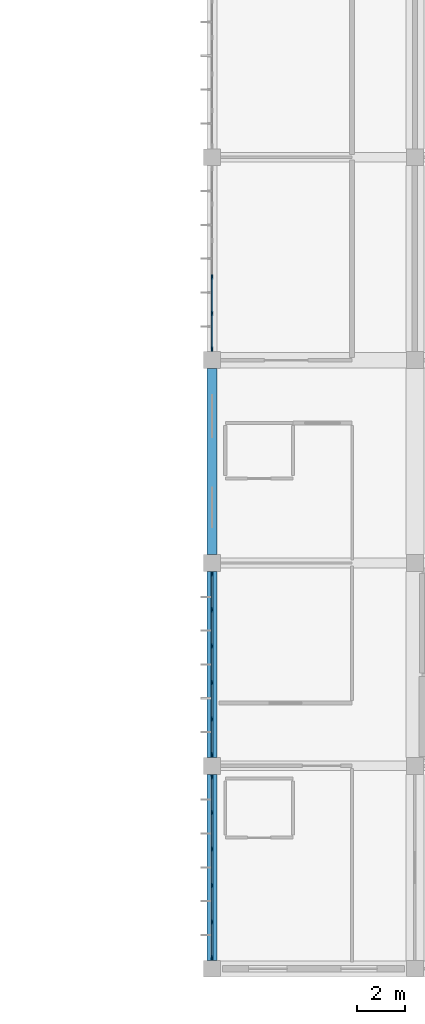
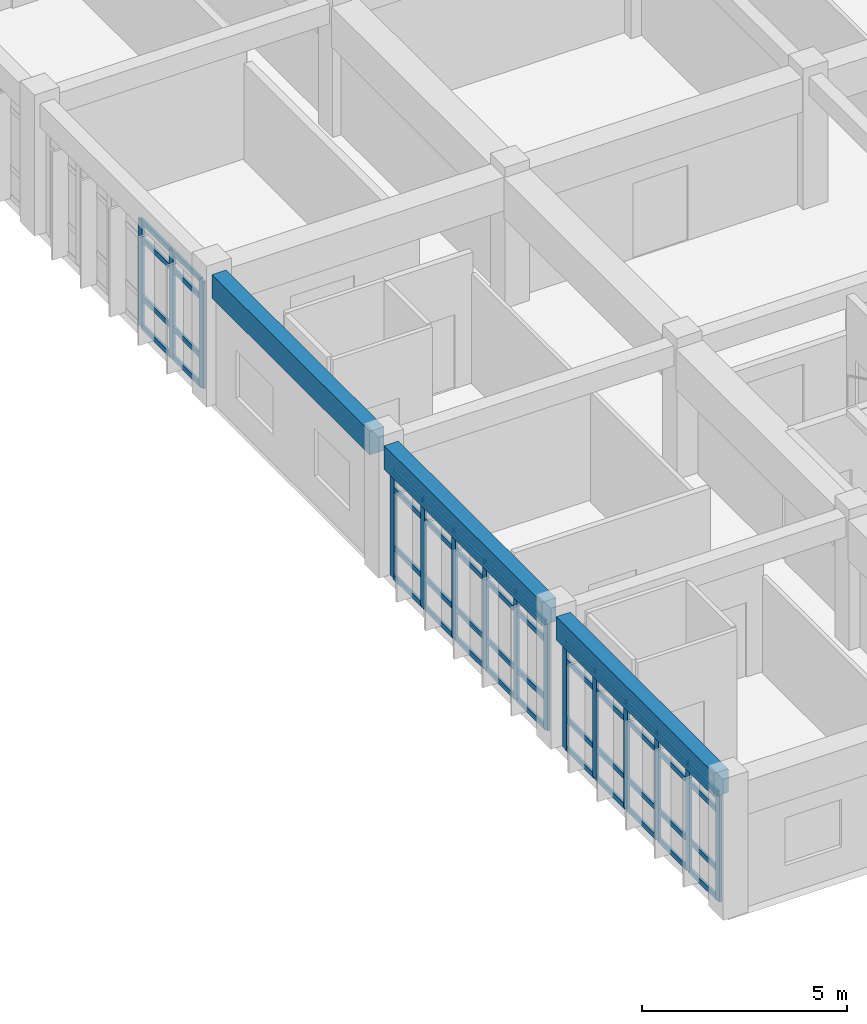
# One storey, part 7 of 119: 63 members, 3 beams, 3 elements without a shape of their own.
"""IFC4 building model written with IfcOpenShell, lengths in metres."""

import ifcopenshell
import ifcopenshell.guid

model = None  # the IFC model being written
_history = None  # IfcOwnerHistory: only IFC2X3 demands one
_inside = {}  # id of a spatial element -> (the spatial element, [elements in it])
_under = {}  # id of a project, library or spatial element -> (it, [spatial elements below it])
_declared = {}  # id of a project -> (the project, [libraries it declares])
_typed = {}  # id of a type object -> (the type object, [elements of that type])
_made_of = {}  # id of a material, layer set ... -> (it, [elements and type objects made of it])


def new_model(schema):
    """Start an empty IFC model of exactly this schema.

    Asked for "IFC4X3", IfcOpenShell would pick the latest addendum, in which some entities
    have other attributes; the version numbers below select the first issue.
    IFC2X3 requires an IfcOwnerHistory on every rooted entity: one is made here for all.
    """
    global model, _history
    if schema == "IFC4X3":
        model = ifcopenshell.file(schema_version=(4, 3, 0, 0))
    else:
        model = ifcopenshell.file(schema=schema)
    _inside.clear()
    _under.clear()
    _declared.clear()
    _typed.clear()
    _made_of.clear()
    _history = None
    if model.schema == "IFC2X3":
        org = make("IfcOrganization", Name="unknown")
        user = make(
            "IfcPersonAndOrganization",
            ThePerson=make("IfcPerson", FamilyName="unknown"),
            TheOrganization=org,
        )
        app = make(
            "IfcApplication",
            ApplicationDeveloper=org,
            Version="unknown",
            ApplicationFullName="unknown",
            ApplicationIdentifier="unknown",
        )
        _history = make(
            "IfcOwnerHistory",
            OwningUser=user,
            OwningApplication=app,
            ChangeAction="ADDED",
            CreationDate=0,
        )
    return model


def make(cls, **values):
    """One entity of the class cls with the attributes given. An attribute that is None is left unset."""
    return model.create_entity(
        cls, **{name: value for name, value in values.items() if value is not None}
    )


def rooted(cls, **values):
    """An entity with a GlobalId (a new one), such as an element, a storey or a relation."""
    return make(cls, GlobalId=ifcopenshell.guid.new(), OwnerHistory=_history, **values)


def si_unit(unit_type, name, prefix=None):
    """IfcSIUnit, for example si_unit("LENGTHUNIT", "METRE", prefix="MILLI")."""
    return make("IfcSIUnit", UnitType=unit_type, Prefix=prefix, Name=name)


def assignment(units):
    """IfcUnitAssignment: the units of a project."""
    return None if units is None else make("IfcUnitAssignment", Units=units)


def point(xyz):
    """IfcCartesianPoint."""
    return None if xyz is None else make("IfcCartesianPoint", Coordinates=xyz)


def direction(xyz):
    """IfcDirection."""
    return None if xyz is None else make("IfcDirection", DirectionRatios=xyz)


def frame(location, z_axis=None, x_axis=None):
    """IfcAxis2Placement3D, a coordinate frame: its origin and axes. An axis left out is left unset."""
    return make(
        "IfcAxis2Placement3D",
        Location=point(location),
        Axis=direction(z_axis),
        RefDirection=direction(x_axis),
    )


def frame_2d(location, x_axis=None):
    """IfcAxis2Placement2D, a coordinate frame in the plane: its origin and x axis."""
    return make(
        "IfcAxis2Placement2D", Location=point(location), RefDirection=direction(x_axis)
    )


def origin():
    """The frame at (0, 0, 0) with its axes left unset."""
    return frame((0.0, 0.0, 0.0))


def origin_2d():
    """The frame at (0, 0) in the plane with its x axis left unset."""
    return frame_2d((0.0, 0.0))


def place(relative_to, where):
    """IfcLocalPlacement: puts the frame where relative to a parent placement (None: the world)."""
    return make(
        "IfcLocalPlacement", PlacementRelTo=relative_to, RelativePlacement=where
    )


def context(
    kind, dimensions, precision=None, world=None, true_north=None, identifier=None
):
    """IfcGeometricRepresentationContext, for example the 3D "Model" context."""
    return make(
        "IfcGeometricRepresentationContext",
        ContextIdentifier=identifier,
        ContextType=kind,
        CoordinateSpaceDimension=dimensions,
        Precision=precision,
        WorldCoordinateSystem=world,
        TrueNorth=true_north,
    )


def subcontext(parent, identifier, kind, view, scale=None):
    """IfcGeometricRepresentationSubContext, for example "Body" below "Model"."""
    return make(
        "IfcGeometricRepresentationSubContext",
        ContextIdentifier=identifier,
        ContextType=kind,
        ParentContext=parent,
        TargetScale=scale,
        TargetView=view,
    )


def project(units=None, contexts=None):
    """IfcProject with its units and contexts."""
    return rooted(
        "IfcProject",
        Name="project",
        RepresentationContexts=contexts,
        UnitsInContext=assignment(units),
    )


def spatial(cls, under=None, at=None, **own):
    """A site, building, storey or space (cls), placed at a placement, below another one or the project."""
    s = rooted(cls, ObjectPlacement=at, **own)
    if under is not None:
        _under.setdefault(under.id(), (under, []))[1].append(s)
    return s


def profile(cls, at=None, kind="AREA", **sizes):
    """A parametric profile (cls). Its sizes go by their IFC names, for example OverallWidth=200.0."""
    return make(cls, ProfileType=kind, Position=at, **sizes)


def rectangle(**sizes):
    """IfcRectangleProfileDef."""
    return profile("IfcRectangleProfileDef", **sizes)


def extrude(swept, where, along, depth):
    """IfcExtrudedAreaSolid: the profile swept, set in the frame where, extruded along a direction by depth."""
    return make(
        "IfcExtrudedAreaSolid",
        SweptArea=swept,
        Position=where,
        ExtrudedDirection=direction(along),
        Depth=depth,
    )


def shape(context_of_items, identifier, shape_type, items):
    """IfcShapeRepresentation: the items that make up one representation, for example the "Body"."""
    return make(
        "IfcShapeRepresentation",
        ContextOfItems=context_of_items,
        RepresentationIdentifier=identifier,
        RepresentationType=shape_type,
        Items=items,
    )


def material(Name=None, Category=None):
    """IfcMaterial."""
    return make("IfcMaterial", Name=Name, Category=Category)


def layer(
    of_material, thickness, ventilated=None, Name=None, Category=None, Priority=None
):
    """IfcMaterialLayer: one layer of a wall or slab, of a material (None: an air gap)."""
    return make(
        "IfcMaterialLayer",
        Material=of_material,
        LayerThickness=thickness,
        IsVentilated=ventilated,
        Name=Name,
        Category=Category,
        Priority=Priority,
    )


def layer_set(layers, Name=None):
    """IfcMaterialLayerSet."""
    return make("IfcMaterialLayerSet", MaterialLayers=layers, LayerSetName=Name)


def material_profile(
    of_material, cross_section, Name=None, Category=None, Priority=None
):
    """IfcMaterialProfile: a cross section and its material."""
    return make(
        "IfcMaterialProfile",
        Name=Name,
        Material=of_material,
        Profile=cross_section,
        Priority=Priority,
        Category=Category,
    )


def profile_set(profiles, Name=None, composite=None):
    """IfcMaterialProfileSet."""
    return make(
        "IfcMaterialProfileSet",
        Name=Name,
        MaterialProfiles=profiles,
        CompositeProfile=composite,
    )


def made_of(thing, what):
    """Note that an element or type object is made of a material, layer set ...; save() writes the relation."""
    if what is not None:
        _made_of.setdefault(what.id(), (what, []))[1].append(thing)
    return thing


def type_object(cls, material=None, **own):
    """A type object (cls), such as IfcWallType, which elements share."""
    return made_of(rooted(cls, **own), material)


def element(
    cls,
    number,
    at=None,
    inside=None,
    cuts=None,
    type_object=None,
    material=None,
    context=None,
    identifier="Body",
    shape_type=None,
    held_by="IfcProductDefinitionShape",
    body=None,
    shapes=None,
    **own,
):
    """One element of the class cls, such as IfcWall. Its Tag is "e" and its number.

    at: its placement. inside: the storey or other place that contains it. cuts: it is an
    opening in that element (IfcRelVoidsElement). A single representation is given by context,
    identifier, shape_type and body (its items); several are given by shapes. held_by: the class
    of the entity that holds the representations. save() writes the other relations.
    """
    e = rooted(cls, Tag="e%d" % number, ObjectPlacement=at, **own)
    if body is not None:
        shapes = [shape(context, identifier, shape_type, body)]
    if shapes is not None:
        e.Representation = make(held_by, Representations=shapes)
    if inside is not None:
        _inside.setdefault(inside.id(), (inside, []))[1].append(e)
    if cuts is not None:
        rooted(
            "IfcRelVoidsElement", RelatingBuildingElement=cuts, RelatedOpeningElement=e
        )
    if type_object is not None:
        _typed.setdefault(type_object.id(), (type_object, []))[1].append(e)
    return made_of(e, material)


def aggregate(whole, parts):
    """IfcRelAggregates: a whole, such as a stair, and the parts it consists of."""
    return rooted("IfcRelAggregates", RelatingObject=whole, RelatedObjects=parts)


def save(model, path):
    """Write the relations noted so far, then the file.

    IfcRelAggregates (storeys below a building ...), IfcRelContainedInSpatialStructure (elements
    in a storey), IfcRelDefinesByType, IfcRelAssociatesMaterial and IfcRelDeclares: one each for
    every whole, place, type object, material and project.
    """
    for whole, parts in _under.values():
        aggregate(whole, parts)
    for where, things in _inside.values():
        rooted(
            "IfcRelContainedInSpatialStructure",
            RelatedElements=things,
            RelatingStructure=where,
        )
    for kind, things in _typed.values():
        rooted("IfcRelDefinesByType", RelatedObjects=things, RelatingType=kind)
    for what, things in _made_of.values():
        rooted("IfcRelAssociatesMaterial", RelatedObjects=things, RelatingMaterial=what)
    for by, libraries in _declared.values():
        rooted("IfcRelDeclares", RelatingContext=by, RelatedDefinitions=libraries)
    model.write(path)


model = new_model("IFC4")

# Units and contexts
model_context = context("Model", 3, precision=1e-05, world=origin(), true_north=direction((0.0, 1.0)))
body_context = subcontext(model_context, "Body", "Model", "MODEL_VIEW")
ifc_project = project(units=[si_unit("LENGTHUNIT", "METRE"), si_unit("AREAUNIT", "SQUARE_METRE"), si_unit("VOLUMEUNIT", "CUBIC_METRE"), si_unit("PLANEANGLEUNIT", "RADIAN"), si_unit("MASSUNIT", "GRAM", prefix="KILO")], contexts=[model_context])

# Site, building, storey
site_placement = place(None, origin())
site = spatial("IfcSite", under=ifc_project, at=site_placement, CompositionType="ELEMENT")
building_placement = place(site_placement, origin())
building = spatial("IfcBuilding", under=site, at=building_placement, Name="Bramfleet General Hospital", CompositionType="ELEMENT")
storey_placement = place(building_placement, frame((0.0, 0.0, 14.39990234375)))
storey = spatial("IfcBuildingStorey", under=building, at=storey_placement, Name="L03", CompositionType="ELEMENT", Elevation=14.39990234375)

# Beams
ifc_material_1 = material(Name="Concrete C35/45", Category="concrete")
ifc_material_profile_1 = material_profile(ifc_material_1, rectangle(XDim=0.39990234375, YDim=0.699951171875, at=origin_2d()), Name="RC SP 700x400")
ifc_profile_set_1 = profile_set([ifc_material_profile_1], Name="Concrete C35/45")
beam_type = type_object("IfcBeamType", Name="BM-SP700", PredefinedType="SPANDREL", material=ifc_profile_set_1)
for number, where, z_axis, x_axis, name in (
    (1, (92.39990234375, 0.35009765625, 3.550048828125), (0.0, 1.0, 0.0), (-1.0, 0.0, 0.0), "L03 Grid Beam Y 11-00"),
    (2, (92.39990234375, 8.75, 3.550048828125), (0.0, 1.0, 0.0), (-1.0, 0.0, 0.0), "L03 Grid Beam Y 11-01"),
):
    element("IfcBeam", number, at=place(storey_placement, frame(where, z_axis=z_axis, x_axis=x_axis)), inside=storey, type_object=beam_type, Name=name, PredefinedType="SPANDREL", context=body_context, shape_type="SweptSolid", body=[
        extrude(rectangle(XDim=0.39990234375, YDim=0.699951171875, at=origin_2d()), origin(), (0.0, 0.0, 1.0), 7.699951171875),
    ])
beam_placement = place(storey_placement, frame((92.39990234375, 17.14990234375, 3.550048828125), z_axis=(0.0, 1.0, 0.0), x_axis=(-1.0, 0.0, 0.0)))
element("IfcBeam", 3, at=beam_placement, inside=storey, type_object=beam_type, Name="L03 Grid Beam Y 11-02", PredefinedType="SPANDREL", context=body_context, shape_type="SweptSolid", body=[
    extrude(rectangle(XDim=0.39990234375, YDim=0.699951171875, at=origin_2d()), origin(), (0.0, 0.0, 1.0), 7.7001953125),
])

# Curtain wall, members
ifc_material_2 = material(Name="Anodised aluminium and low-E triple glazing", Category="aluminium")
ifc_layer_1 = layer(ifc_material_2, 0.179931640625, Name="CWT-CW-13")
ifc_layer_set_1 = layer_set([ifc_layer_1], Name="Anodised aluminium and low-E triple glazing")
curtain_wall_type_1 = type_object("IfcCurtainWallType", Name="CWT-CW-13", PredefinedType="USERDEFINED", material=ifc_layer_set_1)
curtain_wall_1_placement = place(storey_placement, origin())
curtain_wall_1 = element("IfcCurtainWall", 4, at=curtain_wall_1_placement, inside=storey, type_object=curtain_wall_type_1, Name="L03 Curtain Wall 175", ObjectType="Stick curtain wall", PredefinedType="USERDEFINED")
ifc_material_3 = material(Name="Structural timber GL28h", Category="wood")
ifc_material_profile_2 = material_profile(ifc_material_3, rectangle(XDim=0.070068359375, YDim=0.18994140625, at=origin_2d()), Name="LARCH 190x70")
ifc_profile_set_2 = profile_set([ifc_material_profile_2], Name="Structural timber GL28h")
member_type_1 = type_object("IfcMemberType", Name="CWM-LARCH450", PredefinedType="MULLION", material=ifc_profile_set_2)
member_1_placement = place(storey_placement, frame((92.39990234375, 0.4599609375, 0.0), z_axis=(0.0, 0.0, 1.0), x_axis=(-1.0, 0.0, 0.0)))
member_1 = element("IfcMember", 5, at=member_1_placement, type_object=member_type_1, Name="CW-13 mullion 1", PredefinedType="MULLION", context=body_context, shape_type="SweptSolid", body=[
    extrude(rectangle(XDim=0.070068359375, YDim=0.18994140625, at=origin_2d()), origin(), (0.0, 0.0, 1.0), 3.190185546875),
])
member_2_placement = place(storey_placement, frame((92.39990234375, 1.93505859375, 0.0), z_axis=(0.0, 0.0, 1.0), x_axis=(-1.0, 0.0, 0.0)))
member_2 = element("IfcMember", 6, at=member_2_placement, type_object=member_type_1, Name="CW-13 mullion 2", PredefinedType="MULLION", context=body_context, shape_type="SweptSolid", body=[
    extrude(rectangle(XDim=0.070068359375, YDim=0.18994140625, at=origin_2d()), origin(), (0.0, 0.0, 1.0), 3.190185546875),
])
member_3_placement = place(storey_placement, frame((92.39990234375, 3.445068359375, 0.0), z_axis=(0.0, 0.0, 1.0), x_axis=(-1.0, 0.0, 0.0)))
member_3 = element("IfcMember", 7, at=member_3_placement, type_object=member_type_1, Name="CW-13 mullion 3", PredefinedType="MULLION", context=body_context, shape_type="SweptSolid", body=[
    extrude(rectangle(XDim=0.070068359375, YDim=0.18994140625, at=origin_2d()), origin(), (0.0, 0.0, 1.0), 3.190185546875),
])
member_4_placement = place(storey_placement, frame((92.39990234375, 4.955078125, 0.0), z_axis=(0.0, 0.0, 1.0), x_axis=(-1.0, 0.0, 0.0)))
member_4 = element("IfcMember", 8, at=member_4_placement, type_object=member_type_1, Name="CW-13 mullion 4", PredefinedType="MULLION", context=body_context, shape_type="SweptSolid", body=[
    extrude(rectangle(XDim=0.070068359375, YDim=0.18994140625, at=origin_2d()), origin(), (0.0, 0.0, 1.0), 3.190185546875),
])
member_5_placement = place(storey_placement, frame((92.39990234375, 6.465087890625, 0.0), z_axis=(0.0, 0.0, 1.0), x_axis=(-1.0, 0.0, 0.0)))
member_5 = element("IfcMember", 9, at=member_5_placement, type_object=member_type_1, Name="CW-13 mullion 5", PredefinedType="MULLION", context=body_context, shape_type="SweptSolid", body=[
    extrude(rectangle(XDim=0.070068359375, YDim=0.18994140625, at=origin_2d()), origin(), (0.0, 0.0, 1.0), 3.190185546875),
])
member_6_placement = place(storey_placement, frame((92.39990234375, 7.93994140625, 0.0), z_axis=(0.0, 0.0, 1.0), x_axis=(-1.0, 0.0, 0.0)))
member_6 = element("IfcMember", 10, at=member_6_placement, type_object=member_type_1, Name="CW-13 mullion 6", PredefinedType="MULLION", context=body_context, shape_type="SweptSolid", body=[
    extrude(rectangle(XDim=0.070068359375, YDim=0.18994140625, at=origin_2d()), origin(), (0.0, 0.0, 1.0), 3.190185546875),
])

ifc_layer_2 = layer(ifc_material_2, 0.179931640625, Name="CWT-CW-14")
ifc_layer_set_2 = layer_set([ifc_layer_2], Name="Anodised aluminium and low-E triple glazing")
curtain_wall_type_2 = type_object("IfcCurtainWallType", Name="CWT-CW-14", PredefinedType="USERDEFINED", material=ifc_layer_set_2)
curtain_wall_2_placement = place(storey_placement, origin())
curtain_wall_2 = element("IfcCurtainWall", 11, at=curtain_wall_2_placement, inside=storey, type_object=curtain_wall_type_2, Name="L03 Curtain Wall 176", ObjectType="Stick curtain wall", PredefinedType="USERDEFINED")
member_7_placement = place(storey_placement, frame((92.39990234375, 8.860107421875, 0.0), z_axis=(0.0, 0.0, 1.0), x_axis=(-1.0, 0.0, 0.0)))
member_7 = element("IfcMember", 12, at=member_7_placement, type_object=member_type_1, Name="CW-14 mullion 1", PredefinedType="MULLION", context=body_context, shape_type="SweptSolid", body=[
    extrude(rectangle(XDim=0.070068359375, YDim=0.18994140625, at=origin_2d()), origin(), (0.0, 0.0, 1.0), 3.190185546875),
])
member_8_placement = place(storey_placement, frame((92.39990234375, 10.3349609375, 0.0), z_axis=(0.0, 0.0, 1.0), x_axis=(-1.0, 0.0, 0.0)))
member_8 = element("IfcMember", 13, at=member_8_placement, type_object=member_type_1, Name="CW-14 mullion 2", PredefinedType="MULLION", context=body_context, shape_type="SweptSolid", body=[
    extrude(rectangle(XDim=0.070068359375, YDim=0.18994140625, at=origin_2d()), origin(), (0.0, 0.0, 1.0), 3.190185546875),
])
member_9_placement = place(storey_placement, frame((92.39990234375, 11.844970703125, 0.0), z_axis=(0.0, 0.0, 1.0), x_axis=(-1.0, 0.0, 0.0)))
member_9 = element("IfcMember", 14, at=member_9_placement, type_object=member_type_1, Name="CW-14 mullion 3", PredefinedType="MULLION", context=body_context, shape_type="SweptSolid", body=[
    extrude(rectangle(XDim=0.070068359375, YDim=0.18994140625, at=origin_2d()), origin(), (0.0, 0.0, 1.0), 3.190185546875),
])
member_10_placement = place(storey_placement, frame((92.39990234375, 13.35498046875, 0.0), z_axis=(0.0, 0.0, 1.0), x_axis=(-1.0, 0.0, 0.0)))
member_10 = element("IfcMember", 15, at=member_10_placement, type_object=member_type_1, Name="CW-14 mullion 4", PredefinedType="MULLION", context=body_context, shape_type="SweptSolid", body=[
    extrude(rectangle(XDim=0.070068359375, YDim=0.18994140625, at=origin_2d()), origin(), (0.0, 0.0, 1.0), 3.190185546875),
])
member_11_placement = place(storey_placement, frame((92.39990234375, 14.864990234375, 0.0), z_axis=(0.0, 0.0, 1.0), x_axis=(-1.0, 0.0, 0.0)))
member_11 = element("IfcMember", 16, at=member_11_placement, type_object=member_type_1, Name="CW-14 mullion 5", PredefinedType="MULLION", context=body_context, shape_type="SweptSolid", body=[
    extrude(rectangle(XDim=0.070068359375, YDim=0.18994140625, at=origin_2d()), origin(), (0.0, 0.0, 1.0), 3.190185546875),
])
member_12_placement = place(storey_placement, frame((92.39990234375, 16.340087890625, 0.0), z_axis=(0.0, 0.0, 1.0), x_axis=(-1.0, 0.0, 0.0)))
member_12 = element("IfcMember", 17, at=member_12_placement, type_object=member_type_1, Name="CW-14 mullion 6", PredefinedType="MULLION", context=body_context, shape_type="SweptSolid", body=[
    extrude(rectangle(XDim=0.070068359375, YDim=0.18994140625, at=origin_2d()), origin(), (0.0, 0.0, 1.0), 3.190185546875),
])

ifc_layer_3 = layer(ifc_material_2, 0.179931640625, Name="CWT-CW-15")
ifc_layer_set_3 = layer_set([ifc_layer_3], Name="Anodised aluminium and low-E triple glazing")
curtain_wall_type_3 = type_object("IfcCurtainWallType", Name="CWT-CW-15", PredefinedType="USERDEFINED", material=ifc_layer_set_3)
curtain_wall_3_placement = place(storey_placement, origin())
curtain_wall_3 = element("IfcCurtainWall", 18, at=curtain_wall_3_placement, inside=storey, type_object=curtain_wall_type_3, Name="L03 Curtain Wall 177", ObjectType="Stick curtain wall", PredefinedType="USERDEFINED")
member_13_placement = place(storey_placement, frame((92.39990234375, 25.659912109375, 0.0), z_axis=(0.0, 0.0, 1.0), x_axis=(-1.0, 0.0, 0.0)))
member_13 = element("IfcMember", 19, at=member_13_placement, type_object=member_type_1, Name="CW-15 mullion 1", PredefinedType="MULLION", context=body_context, shape_type="SweptSolid", body=[
    extrude(rectangle(XDim=0.070068359375, YDim=0.18994140625, at=origin_2d()), origin(), (0.0, 0.0, 1.0), 3.190185546875),
])
member_14_placement = place(storey_placement, frame((92.39990234375, 27.135009765625, 0.0), z_axis=(0.0, 0.0, 1.0), x_axis=(-1.0, 0.0, 0.0)))
member_14 = element("IfcMember", 20, at=member_14_placement, type_object=member_type_1, Name="CW-15 mullion 2", PredefinedType="MULLION", context=body_context, shape_type="SweptSolid", body=[
    extrude(rectangle(XDim=0.070068359375, YDim=0.18994140625, at=origin_2d()), origin(), (0.0, 0.0, 1.0), 3.190185546875),
])
member_15_placement = place(storey_placement, frame((92.39990234375, 28.64501953125, 0.0), z_axis=(0.0, 0.0, 1.0), x_axis=(-1.0, 0.0, 0.0)))
member_15 = element("IfcMember", 21, at=member_15_placement, type_object=member_type_1, Name="CW-15 mullion 3", PredefinedType="MULLION", context=body_context, shape_type="SweptSolid", body=[
    extrude(rectangle(XDim=0.070068359375, YDim=0.18994140625, at=origin_2d()), origin(), (0.0, 0.0, 1.0), 3.190185546875),
])

# Member
ifc_material_profile_3 = material_profile(ifc_material_3, rectangle(XDim=0.06494140625, YDim=0.14990234375, at=origin_2d()), Name="LARCH 150x65")
ifc_profile_set_3 = profile_set([ifc_material_profile_3], Name="Structural timber GL28h")
member_type_2 = type_object("IfcMemberType", Name="CWT-LARCH220", PredefinedType="USERDEFINED", material=ifc_profile_set_3)
member_16_placement = place(storey_placement, frame((92.39990234375, 0.4951171875, 0.03271484375), z_axis=(0.0, 1.0, 0.0), x_axis=(-1.0, 0.0, 0.0)))
member_16 = element("IfcMember", 22, at=member_16_placement, type_object=member_type_2, Name="CW-13 transom 1.1", ObjectType="TRANSOM", PredefinedType="USERDEFINED", context=body_context, shape_type="SweptSolid", body=[
    extrude(rectangle(XDim=0.06494140625, YDim=0.14990234375, at=origin_2d()), origin(), (0.0, 0.0, 1.0), 1.40478515625),
])

member_17_placement = place(storey_placement, frame((92.39990234375, 0.4951171875, 0.900146484375), z_axis=(0.0, 1.0, 0.0), x_axis=(-1.0, 0.0, 0.0)))
member_17 = element("IfcMember", 23, at=member_17_placement, type_object=member_type_2, Name="CW-13 transom 1.2", ObjectType="TRANSOM", PredefinedType="USERDEFINED", context=body_context, shape_type="SweptSolid", body=[
    extrude(rectangle(XDim=0.06494140625, YDim=0.14990234375, at=origin_2d()), origin(), (0.0, 0.0, 1.0), 1.40478515625),
])

member_18_placement = place(storey_placement, frame((92.39990234375, 0.4951171875, 2.64013671875), z_axis=(0.0, 1.0, 0.0), x_axis=(-1.0, 0.0, 0.0)))
member_18 = element("IfcMember", 24, at=member_18_placement, type_object=member_type_2, Name="CW-13 transom 1.3", ObjectType="TRANSOM", PredefinedType="USERDEFINED", context=body_context, shape_type="SweptSolid", body=[
    extrude(rectangle(XDim=0.06494140625, YDim=0.14990234375, at=origin_2d()), origin(), (0.0, 0.0, 1.0), 1.40478515625),
])

member_19_placement = place(storey_placement, frame((92.39990234375, 0.4951171875, 3.15771484375), z_axis=(0.0, 1.0, 0.0), x_axis=(-1.0, 0.0, 0.0)))
member_19 = element("IfcMember", 25, at=member_19_placement, type_object=member_type_2, Name="CW-13 transom 1.4", ObjectType="TRANSOM", PredefinedType="USERDEFINED", context=body_context, shape_type="SweptSolid", body=[
    extrude(rectangle(XDim=0.06494140625, YDim=0.14990234375, at=origin_2d()), origin(), (0.0, 0.0, 1.0), 1.40478515625),
])

member_20_placement = place(storey_placement, frame((92.39990234375, 1.969970703125, 0.03271484375), z_axis=(0.0, 1.0, 0.0), x_axis=(-1.0, 0.0, 0.0)))
member_20 = element("IfcMember", 26, at=member_20_placement, type_object=member_type_2, Name="CW-13 transom 2.1", ObjectType="TRANSOM", PredefinedType="USERDEFINED", context=body_context, shape_type="SweptSolid", body=[
    extrude(rectangle(XDim=0.06494140625, YDim=0.14990234375, at=origin_2d()), origin(), (0.0, 0.0, 1.0), 1.43994140625),
])

member_21_placement = place(storey_placement, frame((92.39990234375, 1.969970703125, 0.900146484375), z_axis=(0.0, 1.0, 0.0), x_axis=(-1.0, 0.0, 0.0)))
member_21 = element("IfcMember", 27, at=member_21_placement, type_object=member_type_2, Name="CW-13 transom 2.2", ObjectType="TRANSOM", PredefinedType="USERDEFINED", context=body_context, shape_type="SweptSolid", body=[
    extrude(rectangle(XDim=0.06494140625, YDim=0.14990234375, at=origin_2d()), origin(), (0.0, 0.0, 1.0), 1.43994140625),
])

member_22_placement = place(storey_placement, frame((92.39990234375, 1.969970703125, 2.64013671875), z_axis=(0.0, 1.0, 0.0), x_axis=(-1.0, 0.0, 0.0)))
member_22 = element("IfcMember", 28, at=member_22_placement, type_object=member_type_2, Name="CW-13 transom 2.3", ObjectType="TRANSOM", PredefinedType="USERDEFINED", context=body_context, shape_type="SweptSolid", body=[
    extrude(rectangle(XDim=0.06494140625, YDim=0.14990234375, at=origin_2d()), origin(), (0.0, 0.0, 1.0), 1.43994140625),
])

member_23_placement = place(storey_placement, frame((92.39990234375, 1.969970703125, 3.15771484375), z_axis=(0.0, 1.0, 0.0), x_axis=(-1.0, 0.0, 0.0)))
member_23 = element("IfcMember", 29, at=member_23_placement, type_object=member_type_2, Name="CW-13 transom 2.4", ObjectType="TRANSOM", PredefinedType="USERDEFINED", context=body_context, shape_type="SweptSolid", body=[
    extrude(rectangle(XDim=0.06494140625, YDim=0.14990234375, at=origin_2d()), origin(), (0.0, 0.0, 1.0), 1.43994140625),
])

member_24_placement = place(storey_placement, frame((92.39990234375, 3.47998046875, 0.03271484375), z_axis=(0.0, 1.0, 0.0), x_axis=(-1.0, 0.0, 0.0)))
member_24 = element("IfcMember", 30, at=member_24_placement, type_object=member_type_2, Name="CW-13 transom 3.1", ObjectType="TRANSOM", PredefinedType="USERDEFINED", context=body_context, shape_type="SweptSolid", body=[
    extrude(rectangle(XDim=0.06494140625, YDim=0.14990234375, at=origin_2d()), origin(), (0.0, 0.0, 1.0), 1.43994140625),
])

member_25_placement = place(storey_placement, frame((92.39990234375, 3.47998046875, 0.900146484375), z_axis=(0.0, 1.0, 0.0), x_axis=(-1.0, 0.0, 0.0)))
member_25 = element("IfcMember", 31, at=member_25_placement, type_object=member_type_2, Name="CW-13 transom 3.2", ObjectType="TRANSOM", PredefinedType="USERDEFINED", context=body_context, shape_type="SweptSolid", body=[
    extrude(rectangle(XDim=0.06494140625, YDim=0.14990234375, at=origin_2d()), origin(), (0.0, 0.0, 1.0), 1.43994140625),
])

member_26_placement = place(storey_placement, frame((92.39990234375, 3.47998046875, 2.64013671875), z_axis=(0.0, 1.0, 0.0), x_axis=(-1.0, 0.0, 0.0)))
member_26 = element("IfcMember", 32, at=member_26_placement, type_object=member_type_2, Name="CW-13 transom 3.3", ObjectType="TRANSOM", PredefinedType="USERDEFINED", context=body_context, shape_type="SweptSolid", body=[
    extrude(rectangle(XDim=0.06494140625, YDim=0.14990234375, at=origin_2d()), origin(), (0.0, 0.0, 1.0), 1.43994140625),
])

member_27_placement = place(storey_placement, frame((92.39990234375, 3.47998046875, 3.15771484375), z_axis=(0.0, 1.0, 0.0), x_axis=(-1.0, 0.0, 0.0)))
member_27 = element("IfcMember", 33, at=member_27_placement, type_object=member_type_2, Name="CW-13 transom 3.4", ObjectType="TRANSOM", PredefinedType="USERDEFINED", context=body_context, shape_type="SweptSolid", body=[
    extrude(rectangle(XDim=0.06494140625, YDim=0.14990234375, at=origin_2d()), origin(), (0.0, 0.0, 1.0), 1.43994140625),
])

member_28_placement = place(storey_placement, frame((92.39990234375, 4.989990234375, 0.03271484375), z_axis=(0.0, 1.0, 0.0), x_axis=(-1.0, 0.0, 0.0)))
member_28 = element("IfcMember", 34, at=member_28_placement, type_object=member_type_2, Name="CW-13 transom 4.1", ObjectType="TRANSOM", PredefinedType="USERDEFINED", context=body_context, shape_type="SweptSolid", body=[
    extrude(rectangle(XDim=0.06494140625, YDim=0.14990234375, at=origin_2d()), origin(), (0.0, 0.0, 1.0), 1.43994140625),
])

member_29_placement = place(storey_placement, frame((92.39990234375, 4.989990234375, 0.900146484375), z_axis=(0.0, 1.0, 0.0), x_axis=(-1.0, 0.0, 0.0)))
member_29 = element("IfcMember", 35, at=member_29_placement, type_object=member_type_2, Name="CW-13 transom 4.2", ObjectType="TRANSOM", PredefinedType="USERDEFINED", context=body_context, shape_type="SweptSolid", body=[
    extrude(rectangle(XDim=0.06494140625, YDim=0.14990234375, at=origin_2d()), origin(), (0.0, 0.0, 1.0), 1.43994140625),
])

member_30_placement = place(storey_placement, frame((92.39990234375, 4.989990234375, 2.64013671875), z_axis=(0.0, 1.0, 0.0), x_axis=(-1.0, 0.0, 0.0)))
member_30 = element("IfcMember", 36, at=member_30_placement, type_object=member_type_2, Name="CW-13 transom 4.3", ObjectType="TRANSOM", PredefinedType="USERDEFINED", context=body_context, shape_type="SweptSolid", body=[
    extrude(rectangle(XDim=0.06494140625, YDim=0.14990234375, at=origin_2d()), origin(), (0.0, 0.0, 1.0), 1.43994140625),
])

member_31_placement = place(storey_placement, frame((92.39990234375, 4.989990234375, 3.15771484375), z_axis=(0.0, 1.0, 0.0), x_axis=(-1.0, 0.0, 0.0)))
member_31 = element("IfcMember", 37, at=member_31_placement, type_object=member_type_2, Name="CW-13 transom 4.4", ObjectType="TRANSOM", PredefinedType="USERDEFINED", context=body_context, shape_type="SweptSolid", body=[
    extrude(rectangle(XDim=0.06494140625, YDim=0.14990234375, at=origin_2d()), origin(), (0.0, 0.0, 1.0), 1.43994140625),
])

member_32_placement = place(storey_placement, frame((92.39990234375, 6.5, 0.03271484375), z_axis=(0.0, 1.0, 0.0), x_axis=(-1.0, 0.0, 0.0)))
member_32 = element("IfcMember", 38, at=member_32_placement, type_object=member_type_2, Name="CW-13 transom 5.1", ObjectType="TRANSOM", PredefinedType="USERDEFINED", context=body_context, shape_type="SweptSolid", body=[
    extrude(rectangle(XDim=0.06494140625, YDim=0.14990234375, at=origin_2d()), origin(), (0.0, 0.0, 1.0), 1.405029296875),
])

member_33_placement = place(storey_placement, frame((92.39990234375, 6.5, 0.900146484375), z_axis=(0.0, 1.0, 0.0), x_axis=(-1.0, 0.0, 0.0)))
member_33 = element("IfcMember", 39, at=member_33_placement, type_object=member_type_2, Name="CW-13 transom 5.2", ObjectType="TRANSOM", PredefinedType="USERDEFINED", context=body_context, shape_type="SweptSolid", body=[
    extrude(rectangle(XDim=0.06494140625, YDim=0.14990234375, at=origin_2d()), origin(), (0.0, 0.0, 1.0), 1.405029296875),
])

member_34_placement = place(storey_placement, frame((92.39990234375, 6.5, 2.64013671875), z_axis=(0.0, 1.0, 0.0), x_axis=(-1.0, 0.0, 0.0)))
member_34 = element("IfcMember", 40, at=member_34_placement, type_object=member_type_2, Name="CW-13 transom 5.3", ObjectType="TRANSOM", PredefinedType="USERDEFINED", context=body_context, shape_type="SweptSolid", body=[
    extrude(rectangle(XDim=0.06494140625, YDim=0.14990234375, at=origin_2d()), origin(), (0.0, 0.0, 1.0), 1.405029296875),
])

member_35_placement = place(storey_placement, frame((92.39990234375, 6.5, 3.15771484375), z_axis=(0.0, 1.0, 0.0), x_axis=(-1.0, 0.0, 0.0)))
member_35 = element("IfcMember", 41, at=member_35_placement, type_object=member_type_2, Name="CW-13 transom 5.4", ObjectType="TRANSOM", PredefinedType="USERDEFINED", context=body_context, shape_type="SweptSolid", body=[
    extrude(rectangle(XDim=0.06494140625, YDim=0.14990234375, at=origin_2d()), origin(), (0.0, 0.0, 1.0), 1.405029296875),
])

aggregate(curtain_wall_1, [member_1, member_2, member_3, member_4, member_5, member_6, member_16, member_17, member_18, member_19, member_20, member_21, member_22, member_23, member_24, member_25, member_26, member_27, member_28, member_29, member_30, member_31, member_32, member_33, member_34, member_35])

member_36_placement = place(storey_placement, frame((92.39990234375, 8.89501953125, 0.03271484375), z_axis=(0.0, 1.0, 0.0), x_axis=(-1.0, 0.0, 0.0)))
member_36 = element("IfcMember", 42, at=member_36_placement, type_object=member_type_2, Name="CW-14 transom 1.1", ObjectType="TRANSOM", PredefinedType="USERDEFINED", context=body_context, shape_type="SweptSolid", body=[
    extrude(rectangle(XDim=0.06494140625, YDim=0.14990234375, at=origin_2d()), origin(), (0.0, 0.0, 1.0), 1.405029296875),
])

member_37_placement = place(storey_placement, frame((92.39990234375, 8.89501953125, 0.900146484375), z_axis=(0.0, 1.0, 0.0), x_axis=(-1.0, 0.0, 0.0)))
member_37 = element("IfcMember", 43, at=member_37_placement, type_object=member_type_2, Name="CW-14 transom 1.2", ObjectType="TRANSOM", PredefinedType="USERDEFINED", context=body_context, shape_type="SweptSolid", body=[
    extrude(rectangle(XDim=0.06494140625, YDim=0.14990234375, at=origin_2d()), origin(), (0.0, 0.0, 1.0), 1.405029296875),
])

member_38_placement = place(storey_placement, frame((92.39990234375, 8.89501953125, 2.64013671875), z_axis=(0.0, 1.0, 0.0), x_axis=(-1.0, 0.0, 0.0)))
member_38 = element("IfcMember", 44, at=member_38_placement, type_object=member_type_2, Name="CW-14 transom 1.3", ObjectType="TRANSOM", PredefinedType="USERDEFINED", context=body_context, shape_type="SweptSolid", body=[
    extrude(rectangle(XDim=0.06494140625, YDim=0.14990234375, at=origin_2d()), origin(), (0.0, 0.0, 1.0), 1.405029296875),
])

member_39_placement = place(storey_placement, frame((92.39990234375, 8.89501953125, 3.15771484375), z_axis=(0.0, 1.0, 0.0), x_axis=(-1.0, 0.0, 0.0)))
member_39 = element("IfcMember", 45, at=member_39_placement, type_object=member_type_2, Name="CW-14 transom 1.4", ObjectType="TRANSOM", PredefinedType="USERDEFINED", context=body_context, shape_type="SweptSolid", body=[
    extrude(rectangle(XDim=0.06494140625, YDim=0.14990234375, at=origin_2d()), origin(), (0.0, 0.0, 1.0), 1.405029296875),
])

member_40_placement = place(storey_placement, frame((92.39990234375, 10.3701171875, 0.03271484375), z_axis=(0.0, 1.0, 0.0), x_axis=(-1.0, 0.0, 0.0)))
member_40 = element("IfcMember", 46, at=member_40_placement, type_object=member_type_2, Name="CW-14 transom 2.1", ObjectType="TRANSOM", PredefinedType="USERDEFINED", context=body_context, shape_type="SweptSolid", body=[
    extrude(rectangle(XDim=0.06494140625, YDim=0.14990234375, at=origin_2d()), origin(), (0.0, 0.0, 1.0), 1.43994140625),
])

member_41_placement = place(storey_placement, frame((92.39990234375, 10.3701171875, 0.900146484375), z_axis=(0.0, 1.0, 0.0), x_axis=(-1.0, 0.0, 0.0)))
member_41 = element("IfcMember", 47, at=member_41_placement, type_object=member_type_2, Name="CW-14 transom 2.2", ObjectType="TRANSOM", PredefinedType="USERDEFINED", context=body_context, shape_type="SweptSolid", body=[
    extrude(rectangle(XDim=0.06494140625, YDim=0.14990234375, at=origin_2d()), origin(), (0.0, 0.0, 1.0), 1.43994140625),
])

member_42_placement = place(storey_placement, frame((92.39990234375, 10.3701171875, 2.64013671875), z_axis=(0.0, 1.0, 0.0), x_axis=(-1.0, 0.0, 0.0)))
member_42 = element("IfcMember", 48, at=member_42_placement, type_object=member_type_2, Name="CW-14 transom 2.3", ObjectType="TRANSOM", PredefinedType="USERDEFINED", context=body_context, shape_type="SweptSolid", body=[
    extrude(rectangle(XDim=0.06494140625, YDim=0.14990234375, at=origin_2d()), origin(), (0.0, 0.0, 1.0), 1.43994140625),
])

member_43_placement = place(storey_placement, frame((92.39990234375, 10.3701171875, 3.15771484375), z_axis=(0.0, 1.0, 0.0), x_axis=(-1.0, 0.0, 0.0)))
member_43 = element("IfcMember", 49, at=member_43_placement, type_object=member_type_2, Name="CW-14 transom 2.4", ObjectType="TRANSOM", PredefinedType="USERDEFINED", context=body_context, shape_type="SweptSolid", body=[
    extrude(rectangle(XDim=0.06494140625, YDim=0.14990234375, at=origin_2d()), origin(), (0.0, 0.0, 1.0), 1.43994140625),
])

member_44_placement = place(storey_placement, frame((92.39990234375, 11.8798828125, 0.03271484375), z_axis=(0.0, 1.0, 0.0), x_axis=(-1.0, 0.0, 0.0)))
member_44 = element("IfcMember", 50, at=member_44_placement, type_object=member_type_2, Name="CW-14 transom 3.1", ObjectType="TRANSOM", PredefinedType="USERDEFINED", context=body_context, shape_type="SweptSolid", body=[
    extrude(rectangle(XDim=0.06494140625, YDim=0.14990234375, at=origin_2d()), origin(), (0.0, 0.0, 1.0), 1.440185546875),
])

member_45_placement = place(storey_placement, frame((92.39990234375, 11.8798828125, 0.900146484375), z_axis=(0.0, 1.0, 0.0), x_axis=(-1.0, 0.0, 0.0)))
member_45 = element("IfcMember", 51, at=member_45_placement, type_object=member_type_2, Name="CW-14 transom 3.2", ObjectType="TRANSOM", PredefinedType="USERDEFINED", context=body_context, shape_type="SweptSolid", body=[
    extrude(rectangle(XDim=0.06494140625, YDim=0.14990234375, at=origin_2d()), origin(), (0.0, 0.0, 1.0), 1.440185546875),
])

member_46_placement = place(storey_placement, frame((92.39990234375, 11.8798828125, 2.64013671875), z_axis=(0.0, 1.0, 0.0), x_axis=(-1.0, 0.0, 0.0)))
member_46 = element("IfcMember", 52, at=member_46_placement, type_object=member_type_2, Name="CW-14 transom 3.3", ObjectType="TRANSOM", PredefinedType="USERDEFINED", context=body_context, shape_type="SweptSolid", body=[
    extrude(rectangle(XDim=0.06494140625, YDim=0.14990234375, at=origin_2d()), origin(), (0.0, 0.0, 1.0), 1.440185546875),
])

member_47_placement = place(storey_placement, frame((92.39990234375, 11.8798828125, 3.15771484375), z_axis=(0.0, 1.0, 0.0), x_axis=(-1.0, 0.0, 0.0)))
member_47 = element("IfcMember", 53, at=member_47_placement, type_object=member_type_2, Name="CW-14 transom 3.4", ObjectType="TRANSOM", PredefinedType="USERDEFINED", context=body_context, shape_type="SweptSolid", body=[
    extrude(rectangle(XDim=0.06494140625, YDim=0.14990234375, at=origin_2d()), origin(), (0.0, 0.0, 1.0), 1.440185546875),
])

member_48_placement = place(storey_placement, frame((92.39990234375, 13.389892578125, 0.03271484375), z_axis=(0.0, 1.0, 0.0), x_axis=(-1.0, 0.0, 0.0)))
member_48 = element("IfcMember", 54, at=member_48_placement, type_object=member_type_2, Name="CW-14 transom 4.1", ObjectType="TRANSOM", PredefinedType="USERDEFINED", context=body_context, shape_type="SweptSolid", body=[
    extrude(rectangle(XDim=0.06494140625, YDim=0.14990234375, at=origin_2d()), origin(), (0.0, 0.0, 1.0), 1.440185546875),
])

member_49_placement = place(storey_placement, frame((92.39990234375, 13.389892578125, 0.900146484375), z_axis=(0.0, 1.0, 0.0), x_axis=(-1.0, 0.0, 0.0)))
member_49 = element("IfcMember", 55, at=member_49_placement, type_object=member_type_2, Name="CW-14 transom 4.2", ObjectType="TRANSOM", PredefinedType="USERDEFINED", context=body_context, shape_type="SweptSolid", body=[
    extrude(rectangle(XDim=0.06494140625, YDim=0.14990234375, at=origin_2d()), origin(), (0.0, 0.0, 1.0), 1.440185546875),
])

member_50_placement = place(storey_placement, frame((92.39990234375, 13.389892578125, 2.64013671875), z_axis=(0.0, 1.0, 0.0), x_axis=(-1.0, 0.0, 0.0)))
member_50 = element("IfcMember", 56, at=member_50_placement, type_object=member_type_2, Name="CW-14 transom 4.3", ObjectType="TRANSOM", PredefinedType="USERDEFINED", context=body_context, shape_type="SweptSolid", body=[
    extrude(rectangle(XDim=0.06494140625, YDim=0.14990234375, at=origin_2d()), origin(), (0.0, 0.0, 1.0), 1.440185546875),
])

member_51_placement = place(storey_placement, frame((92.39990234375, 13.389892578125, 3.15771484375), z_axis=(0.0, 1.0, 0.0), x_axis=(-1.0, 0.0, 0.0)))
member_51 = element("IfcMember", 57, at=member_51_placement, type_object=member_type_2, Name="CW-14 transom 4.4", ObjectType="TRANSOM", PredefinedType="USERDEFINED", context=body_context, shape_type="SweptSolid", body=[
    extrude(rectangle(XDim=0.06494140625, YDim=0.14990234375, at=origin_2d()), origin(), (0.0, 0.0, 1.0), 1.440185546875),
])

member_52_placement = place(storey_placement, frame((92.39990234375, 14.89990234375, 0.03271484375), z_axis=(0.0, 1.0, 0.0), x_axis=(-1.0, 0.0, 0.0)))
member_52 = element("IfcMember", 58, at=member_52_placement, type_object=member_type_2, Name="CW-14 transom 5.1", ObjectType="TRANSOM", PredefinedType="USERDEFINED", context=body_context, shape_type="SweptSolid", body=[
    extrude(rectangle(XDim=0.06494140625, YDim=0.14990234375, at=origin_2d()), origin(), (0.0, 0.0, 1.0), 1.405029296875),
])

member_53_placement = place(storey_placement, frame((92.39990234375, 14.89990234375, 0.900146484375), z_axis=(0.0, 1.0, 0.0), x_axis=(-1.0, 0.0, 0.0)))
member_53 = element("IfcMember", 59, at=member_53_placement, type_object=member_type_2, Name="CW-14 transom 5.2", ObjectType="TRANSOM", PredefinedType="USERDEFINED", context=body_context, shape_type="SweptSolid", body=[
    extrude(rectangle(XDim=0.06494140625, YDim=0.14990234375, at=origin_2d()), origin(), (0.0, 0.0, 1.0), 1.405029296875),
])

member_54_placement = place(storey_placement, frame((92.39990234375, 14.89990234375, 2.64013671875), z_axis=(0.0, 1.0, 0.0), x_axis=(-1.0, 0.0, 0.0)))
member_54 = element("IfcMember", 60, at=member_54_placement, type_object=member_type_2, Name="CW-14 transom 5.3", ObjectType="TRANSOM", PredefinedType="USERDEFINED", context=body_context, shape_type="SweptSolid", body=[
    extrude(rectangle(XDim=0.06494140625, YDim=0.14990234375, at=origin_2d()), origin(), (0.0, 0.0, 1.0), 1.405029296875),
])

member_55_placement = place(storey_placement, frame((92.39990234375, 14.89990234375, 3.15771484375), z_axis=(0.0, 1.0, 0.0), x_axis=(-1.0, 0.0, 0.0)))
member_55 = element("IfcMember", 61, at=member_55_placement, type_object=member_type_2, Name="CW-14 transom 5.4", ObjectType="TRANSOM", PredefinedType="USERDEFINED", context=body_context, shape_type="SweptSolid", body=[
    extrude(rectangle(XDim=0.06494140625, YDim=0.14990234375, at=origin_2d()), origin(), (0.0, 0.0, 1.0), 1.405029296875),
])

aggregate(curtain_wall_2, [member_7, member_8, member_9, member_10, member_11, member_12, member_36, member_37, member_38, member_39, member_40, member_41, member_42, member_43, member_44, member_45, member_46, member_47, member_48, member_49, member_50, member_51, member_52, member_53, member_54, member_55])

member_56_placement = place(storey_placement, frame((92.39990234375, 25.695068359375, 0.03271484375), z_axis=(0.0, 1.0, 0.0), x_axis=(-1.0, 0.0, 0.0)))
member_56 = element("IfcMember", 62, at=member_56_placement, type_object=member_type_2, Name="CW-15 transom 1.1", ObjectType="TRANSOM", PredefinedType="USERDEFINED", context=body_context, shape_type="SweptSolid", body=[
    extrude(rectangle(XDim=0.06494140625, YDim=0.14990234375, at=origin_2d()), origin(), (0.0, 0.0, 1.0), 1.405029296875),
])

member_57_placement = place(storey_placement, frame((92.39990234375, 25.695068359375, 0.900146484375), z_axis=(0.0, 1.0, 0.0), x_axis=(-1.0, 0.0, 0.0)))
member_57 = element("IfcMember", 63, at=member_57_placement, type_object=member_type_2, Name="CW-15 transom 1.2", ObjectType="TRANSOM", PredefinedType="USERDEFINED", context=body_context, shape_type="SweptSolid", body=[
    extrude(rectangle(XDim=0.06494140625, YDim=0.14990234375, at=origin_2d()), origin(), (0.0, 0.0, 1.0), 1.405029296875),
])

member_58_placement = place(storey_placement, frame((92.39990234375, 25.695068359375, 2.64013671875), z_axis=(0.0, 1.0, 0.0), x_axis=(-1.0, 0.0, 0.0)))
member_58 = element("IfcMember", 64, at=member_58_placement, type_object=member_type_2, Name="CW-15 transom 1.3", ObjectType="TRANSOM", PredefinedType="USERDEFINED", context=body_context, shape_type="SweptSolid", body=[
    extrude(rectangle(XDim=0.06494140625, YDim=0.14990234375, at=origin_2d()), origin(), (0.0, 0.0, 1.0), 1.405029296875),
])

member_59_placement = place(storey_placement, frame((92.39990234375, 25.695068359375, 3.15771484375), z_axis=(0.0, 1.0, 0.0), x_axis=(-1.0, 0.0, 0.0)))
member_59 = element("IfcMember", 65, at=member_59_placement, type_object=member_type_2, Name="CW-15 transom 1.4", ObjectType="TRANSOM", PredefinedType="USERDEFINED", context=body_context, shape_type="SweptSolid", body=[
    extrude(rectangle(XDim=0.06494140625, YDim=0.14990234375, at=origin_2d()), origin(), (0.0, 0.0, 1.0), 1.405029296875),
])

member_60_placement = place(storey_placement, frame((92.39990234375, 27.169921875, 0.03271484375), z_axis=(0.0, 1.0, 0.0), x_axis=(-1.0, 0.0, 0.0)))
member_60 = element("IfcMember", 66, at=member_60_placement, type_object=member_type_2, Name="CW-15 transom 2.1", ObjectType="TRANSOM", PredefinedType="USERDEFINED", context=body_context, shape_type="SweptSolid", body=[
    extrude(rectangle(XDim=0.06494140625, YDim=0.14990234375, at=origin_2d()), origin(), (0.0, 0.0, 1.0), 1.440185546875),
])

member_61_placement = place(storey_placement, frame((92.39990234375, 27.169921875, 0.900146484375), z_axis=(0.0, 1.0, 0.0), x_axis=(-1.0, 0.0, 0.0)))
member_61 = element("IfcMember", 67, at=member_61_placement, type_object=member_type_2, Name="CW-15 transom 2.2", ObjectType="TRANSOM", PredefinedType="USERDEFINED", context=body_context, shape_type="SweptSolid", body=[
    extrude(rectangle(XDim=0.06494140625, YDim=0.14990234375, at=origin_2d()), origin(), (0.0, 0.0, 1.0), 1.440185546875),
])

member_62_placement = place(storey_placement, frame((92.39990234375, 27.169921875, 2.64013671875), z_axis=(0.0, 1.0, 0.0), x_axis=(-1.0, 0.0, 0.0)))
member_62 = element("IfcMember", 68, at=member_62_placement, type_object=member_type_2, Name="CW-15 transom 2.3", ObjectType="TRANSOM", PredefinedType="USERDEFINED", context=body_context, shape_type="SweptSolid", body=[
    extrude(rectangle(XDim=0.06494140625, YDim=0.14990234375, at=origin_2d()), origin(), (0.0, 0.0, 1.0), 1.440185546875),
])

member_63_placement = place(storey_placement, frame((92.39990234375, 27.169921875, 3.15771484375), z_axis=(0.0, 1.0, 0.0), x_axis=(-1.0, 0.0, 0.0)))
member_63 = element("IfcMember", 69, at=member_63_placement, type_object=member_type_2, Name="CW-15 transom 2.4", ObjectType="TRANSOM", PredefinedType="USERDEFINED", context=body_context, shape_type="SweptSolid", body=[
    extrude(rectangle(XDim=0.06494140625, YDim=0.14990234375, at=origin_2d()), origin(), (0.0, 0.0, 1.0), 1.440185546875),
])

aggregate(curtain_wall_3, [member_13, member_14, member_15, member_56, member_57, member_58, member_59, member_60, member_61, member_62, member_63])

save(model, "model.ifc")
